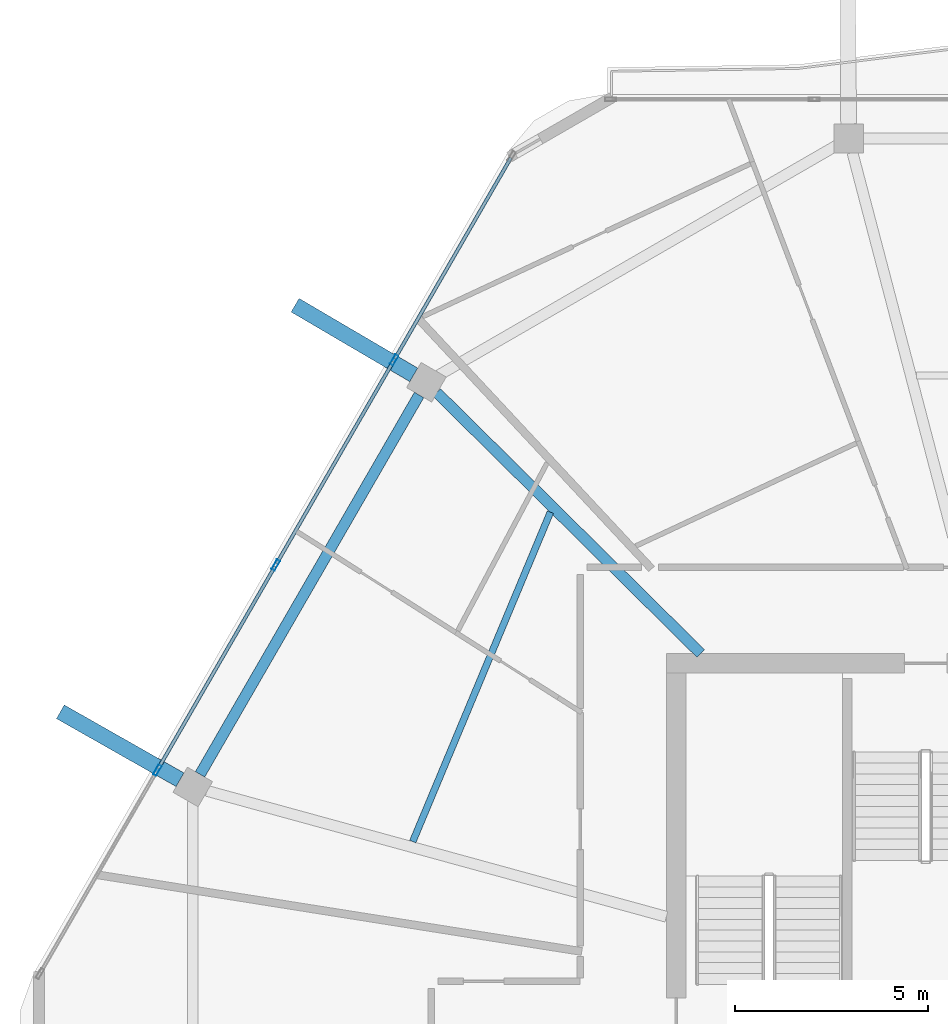
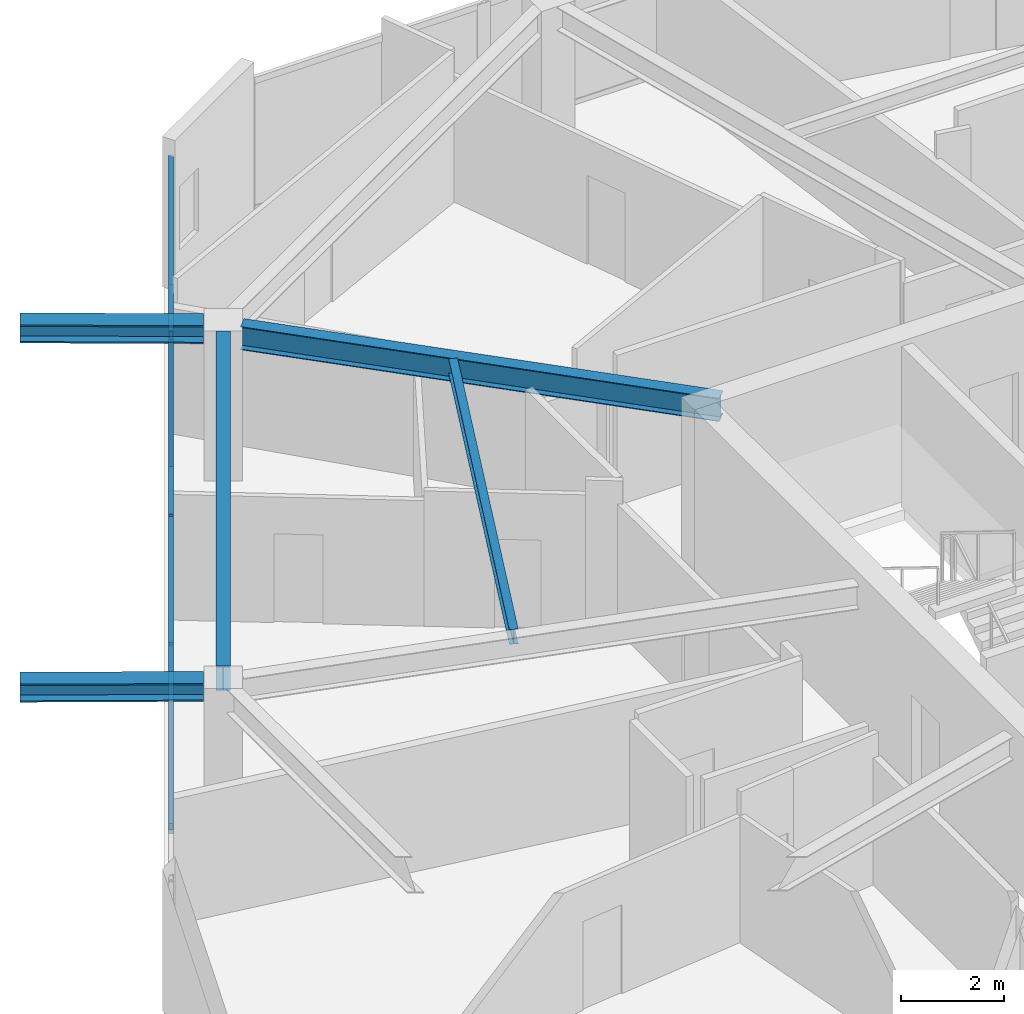
# One storey, part 8 of 21: 9 members, 5 beams, 1 element without a shape of its own.
"""IFC4 building model written with IfcOpenShell, lengths in metres."""

import ifcopenshell
import ifcopenshell.guid

model = None  # the IFC model being written
_history = None  # IfcOwnerHistory: only IFC2X3 demands one
_inside = {}  # id of a spatial element -> (the spatial element, [elements in it])
_under = {}  # id of a project, library or spatial element -> (it, [spatial elements below it])
_declared = {}  # id of a project -> (the project, [libraries it declares])
_typed = {}  # id of a type object -> (the type object, [elements of that type])
_made_of = {}  # id of a material, layer set ... -> (it, [elements and type objects made of it])


def new_model(schema):
    """Start an empty IFC model of exactly this schema.

    Asked for "IFC4X3", IfcOpenShell would pick the latest addendum, in which some entities
    have other attributes; the version numbers below select the first issue.
    IFC2X3 requires an IfcOwnerHistory on every rooted entity: one is made here for all.
    """
    global model, _history
    if schema == "IFC4X3":
        model = ifcopenshell.file(schema_version=(4, 3, 0, 0))
    else:
        model = ifcopenshell.file(schema=schema)
    _inside.clear()
    _under.clear()
    _declared.clear()
    _typed.clear()
    _made_of.clear()
    _history = None
    if model.schema == "IFC2X3":
        org = make("IfcOrganization", Name="unknown")
        user = make(
            "IfcPersonAndOrganization",
            ThePerson=make("IfcPerson", FamilyName="unknown"),
            TheOrganization=org,
        )
        app = make(
            "IfcApplication",
            ApplicationDeveloper=org,
            Version="unknown",
            ApplicationFullName="unknown",
            ApplicationIdentifier="unknown",
        )
        _history = make(
            "IfcOwnerHistory",
            OwningUser=user,
            OwningApplication=app,
            ChangeAction="ADDED",
            CreationDate=0,
        )
    return model


def make(cls, **values):
    """One entity of the class cls with the attributes given. An attribute that is None is left unset."""
    return model.create_entity(
        cls, **{name: value for name, value in values.items() if value is not None}
    )


def rooted(cls, **values):
    """An entity with a GlobalId (a new one), such as an element, a storey or a relation."""
    return make(cls, GlobalId=ifcopenshell.guid.new(), OwnerHistory=_history, **values)


def si_unit(unit_type, name, prefix=None):
    """IfcSIUnit, for example si_unit("LENGTHUNIT", "METRE", prefix="MILLI")."""
    return make("IfcSIUnit", UnitType=unit_type, Prefix=prefix, Name=name)


def assignment(units):
    """IfcUnitAssignment: the units of a project."""
    return None if units is None else make("IfcUnitAssignment", Units=units)


def point(xyz):
    """IfcCartesianPoint."""
    return None if xyz is None else make("IfcCartesianPoint", Coordinates=xyz)


def direction(xyz):
    """IfcDirection."""
    return None if xyz is None else make("IfcDirection", DirectionRatios=xyz)


def frame(location, z_axis=None, x_axis=None):
    """IfcAxis2Placement3D, a coordinate frame: its origin and axes. An axis left out is left unset."""
    return make(
        "IfcAxis2Placement3D",
        Location=point(location),
        Axis=direction(z_axis),
        RefDirection=direction(x_axis),
    )


def frame_2d(location, x_axis=None):
    """IfcAxis2Placement2D, a coordinate frame in the plane: its origin and x axis."""
    return make(
        "IfcAxis2Placement2D", Location=point(location), RefDirection=direction(x_axis)
    )


def origin():
    """The frame at (0, 0, 0) with its axes left unset."""
    return frame((0.0, 0.0, 0.0))


def origin_2d():
    """The frame at (0, 0) in the plane with its x axis left unset."""
    return frame_2d((0.0, 0.0))


def place(relative_to, where):
    """IfcLocalPlacement: puts the frame where relative to a parent placement (None: the world)."""
    return make(
        "IfcLocalPlacement", PlacementRelTo=relative_to, RelativePlacement=where
    )


def context(
    kind, dimensions, precision=None, world=None, true_north=None, identifier=None
):
    """IfcGeometricRepresentationContext, for example the 3D "Model" context."""
    return make(
        "IfcGeometricRepresentationContext",
        ContextIdentifier=identifier,
        ContextType=kind,
        CoordinateSpaceDimension=dimensions,
        Precision=precision,
        WorldCoordinateSystem=world,
        TrueNorth=true_north,
    )


def subcontext(parent, identifier, kind, view, scale=None):
    """IfcGeometricRepresentationSubContext, for example "Body" below "Model"."""
    return make(
        "IfcGeometricRepresentationSubContext",
        ContextIdentifier=identifier,
        ContextType=kind,
        ParentContext=parent,
        TargetScale=scale,
        TargetView=view,
    )


def project(units=None, contexts=None):
    """IfcProject with its units and contexts."""
    return rooted(
        "IfcProject",
        Name="project",
        RepresentationContexts=contexts,
        UnitsInContext=assignment(units),
    )


def spatial(cls, under=None, at=None, **own):
    """A site, building, storey or space (cls), placed at a placement, below another one or the project."""
    s = rooted(cls, ObjectPlacement=at, **own)
    if under is not None:
        _under.setdefault(under.id(), (under, []))[1].append(s)
    return s


def profile(cls, at=None, kind="AREA", **sizes):
    """A parametric profile (cls). Its sizes go by their IFC names, for example OverallWidth=200.0."""
    return make(cls, ProfileType=kind, Position=at, **sizes)


def hollow_rectangle(**sizes):
    """IfcRectangleHollowProfileDef."""
    return profile("IfcRectangleHollowProfileDef", **sizes)


def i_section(**sizes):
    """IfcIShapeProfileDef."""
    return profile("IfcIShapeProfileDef", **sizes)


def extrude(swept, where, along, depth):
    """IfcExtrudedAreaSolid: the profile swept, set in the frame where, extruded along a direction by depth."""
    return make(
        "IfcExtrudedAreaSolid",
        SweptArea=swept,
        Position=where,
        ExtrudedDirection=direction(along),
        Depth=depth,
    )


def shape(context_of_items, identifier, shape_type, items):
    """IfcShapeRepresentation: the items that make up one representation, for example the "Body"."""
    return make(
        "IfcShapeRepresentation",
        ContextOfItems=context_of_items,
        RepresentationIdentifier=identifier,
        RepresentationType=shape_type,
        Items=items,
    )


def material(Name=None, Category=None):
    """IfcMaterial."""
    return make("IfcMaterial", Name=Name, Category=Category)


def material_profile(
    of_material, cross_section, Name=None, Category=None, Priority=None
):
    """IfcMaterialProfile: a cross section and its material."""
    return make(
        "IfcMaterialProfile",
        Name=Name,
        Material=of_material,
        Profile=cross_section,
        Priority=Priority,
        Category=Category,
    )


def profile_set(profiles, Name=None, composite=None):
    """IfcMaterialProfileSet."""
    return make(
        "IfcMaterialProfileSet",
        Name=Name,
        MaterialProfiles=profiles,
        CompositeProfile=composite,
    )


def made_of(thing, what):
    """Note that an element or type object is made of a material, layer set ...; save() writes the relation."""
    if what is not None:
        _made_of.setdefault(what.id(), (what, []))[1].append(thing)
    return thing


def type_object(cls, material=None, **own):
    """A type object (cls), such as IfcWallType, which elements share."""
    return made_of(rooted(cls, **own), material)


def element(
    cls,
    number,
    at=None,
    inside=None,
    cuts=None,
    type_object=None,
    material=None,
    context=None,
    identifier="Body",
    shape_type=None,
    held_by="IfcProductDefinitionShape",
    body=None,
    shapes=None,
    **own,
):
    """One element of the class cls, such as IfcWall. Its Tag is "e" and its number.

    at: its placement. inside: the storey or other place that contains it. cuts: it is an
    opening in that element (IfcRelVoidsElement). A single representation is given by context,
    identifier, shape_type and body (its items); several are given by shapes. held_by: the class
    of the entity that holds the representations. save() writes the other relations.
    """
    e = rooted(cls, Tag="e%d" % number, ObjectPlacement=at, **own)
    if body is not None:
        shapes = [shape(context, identifier, shape_type, body)]
    if shapes is not None:
        e.Representation = make(held_by, Representations=shapes)
    if inside is not None:
        _inside.setdefault(inside.id(), (inside, []))[1].append(e)
    if cuts is not None:
        rooted(
            "IfcRelVoidsElement", RelatingBuildingElement=cuts, RelatedOpeningElement=e
        )
    if type_object is not None:
        _typed.setdefault(type_object.id(), (type_object, []))[1].append(e)
    return made_of(e, material)


def aggregate(whole, parts):
    """IfcRelAggregates: a whole, such as a stair, and the parts it consists of."""
    return rooted("IfcRelAggregates", RelatingObject=whole, RelatedObjects=parts)


def save(model, path):
    """Write the relations noted so far, then the file.

    IfcRelAggregates (storeys below a building ...), IfcRelContainedInSpatialStructure (elements
    in a storey), IfcRelDefinesByType, IfcRelAssociatesMaterial and IfcRelDeclares: one each for
    every whole, place, type object, material and project.
    """
    for whole, parts in _under.values():
        aggregate(whole, parts)
    for where, things in _inside.values():
        rooted(
            "IfcRelContainedInSpatialStructure",
            RelatedElements=things,
            RelatingStructure=where,
        )
    for kind, things in _typed.values():
        rooted("IfcRelDefinesByType", RelatedObjects=things, RelatingType=kind)
    for what, things in _made_of.values():
        rooted("IfcRelAssociatesMaterial", RelatedObjects=things, RelatingMaterial=what)
    for by, libraries in _declared.values():
        rooted("IfcRelDeclares", RelatingContext=by, RelatedDefinitions=libraries)
    model.write(path)


model = new_model("IFC4")

# Units and contexts
model_context = context("Model", 3, precision=1e-05, world=origin(), true_north=direction((0.0, 1.0)))
body_context = subcontext(model_context, "Body", "Model", "MODEL_VIEW")
ifc_project = project(units=[si_unit("LENGTHUNIT", "METRE"), si_unit("AREAUNIT", "SQUARE_METRE"), si_unit("VOLUMEUNIT", "CUBIC_METRE"), si_unit("PLANEANGLEUNIT", "RADIAN"), si_unit("MASSUNIT", "GRAM", prefix="KILO")], contexts=[model_context])

# Site, building, storey
site_placement = place(None, origin())
site = spatial("IfcSite", under=ifc_project, at=site_placement, CompositionType="ELEMENT")
building_placement = place(site_placement, origin())
building = spatial("IfcBuilding", under=site, at=building_placement, Name="Zuhravey Tower", CompositionType="ELEMENT")
storey_placement = place(building_placement, frame((0.0, 0.0, 334.800048828125)))
storey = spatial("IfcBuildingStorey", under=building, at=storey_placement, Name="L85", CompositionType="ELEMENT", Elevation=334.800048828125)

# Curtain wall, members
ifc_material_1 = material(Name="Thermally broken anodised aluminium", Category="aluminium")
curtain_wall_type = type_object("IfcCurtainWallType", Name="Zone 3-4 High-Rise Curtain Wall CW4", PredefinedType="NOTDEFINED", material=ifc_material_1)
curtain_wall_placement = place(storey_placement, origin())
curtain_wall = element("IfcCurtainWall", 1, at=curtain_wall_placement, inside=storey, type_object=curtain_wall_type, Name="L85 CW4 CW-L85-F3-1", PredefinedType="NOTDEFINED")
ifc_material_2 = material(Name="Anodised aluminium", Category="aluminium")
ifc_material_profile_1 = material_profile(ifc_material_2, hollow_rectangle(XDim=0.090087890625, YDim=0.284912109375, WallThickness=0.0048828125, at=origin_2d()), Name="ALU-RHS-90x285x5")
ifc_profile_set_1 = profile_set([ifc_material_profile_1], Name="Anodised aluminium")
member_type_1 = type_object("IfcMemberType", Name="Curtain-Wall Mullion 90x180", PredefinedType="MULLION", material=ifc_profile_set_1)
member_1_placement = place(storey_placement, frame((12.09130859375, 38.7373046875, 0.0), z_axis=(0.0, 0.0, 1.0), x_axis=(-0.866025511541, 0.49999981336, 0.0)))
member_1 = element("IfcMember", 2, at=member_1_placement, type_object=member_type_1, Name="CW4 mullion 2", PredefinedType="MULLION", context=body_context, shape_type="SweptSolid", body=[
    extrude(hollow_rectangle(XDim=0.090087890625, YDim=0.284912109375, WallThickness=0.0048828125, at=origin_2d()), origin(), (0.0, 0.0, 1.0), 3.1220703125),
])
member_2_placement = place(storey_placement, frame((15.1513671875, 44.037109375, 0.0), z_axis=(0.0, 0.0, 1.0), x_axis=(-0.866025511541, 0.49999981336, 0.0)))
member_2 = element("IfcMember", 3, at=member_2_placement, type_object=member_type_1, Name="CW4 mullion 3", PredefinedType="MULLION", context=body_context, shape_type="SweptSolid", body=[
    extrude(hollow_rectangle(XDim=0.090087890625, YDim=0.284912109375, WallThickness=0.0048828125, at=origin_2d()), origin(), (0.0, 0.0, 1.0), 3.1220703125),
])
member_3_placement = place(storey_placement, frame((18.211181640625, 49.3369140625, 0.0), z_axis=(0.0, 0.0, 1.0), x_axis=(-0.866025511541, 0.49999981336, 0.0)))
member_3 = element("IfcMember", 4, at=member_3_placement, type_object=member_type_1, Name="CW4 mullion 4", PredefinedType="MULLION", context=body_context, shape_type="SweptSolid", body=[
    extrude(hollow_rectangle(XDim=0.090087890625, YDim=0.284912109375, WallThickness=0.0048828125, at=origin_2d()), origin(), (0.0, 0.0, 1.0), 3.1220703125),
])
ifc_material_profile_2 = material_profile(ifc_material_2, hollow_rectangle(XDim=0.090087890625, YDim=0.14990234375, WallThickness=0.0048828125, at=origin_2d()), Name="ALU-RHS-90x150x5")
ifc_profile_set_2 = profile_set([ifc_material_profile_2], Name="Anodised aluminium")
member_type_2 = type_object("IfcMemberType", Name="Curtain-Wall Transom 90x150", PredefinedType="USERDEFINED", material=ifc_profile_set_2)
member_4_placement = place(storey_placement, frame((12.114013671875, 38.7763671875, 0.044921875), z_axis=(0.499988837749, 0.866031848217, 0.0), x_axis=(-0.866031848217, 0.499988837749, 0.0)))
member_4 = element("IfcMember", 5, at=member_4_placement, type_object=member_type_2, Name="CW4 transom 2.1", ObjectType="TRANSOM", PredefinedType="USERDEFINED", context=body_context, shape_type="SweptSolid", body=[
    extrude(hollow_rectangle(XDim=0.090087890625, YDim=0.14990234375, WallThickness=0.0048828125, at=origin_2d()), origin(), (0.0, 0.0, 1.0), 6.029541015625),
])
member_5_placement = place(storey_placement, frame((12.114013671875, 38.7763671875, 3.076904296875), z_axis=(0.499988837749, 0.866031848217, 0.0), x_axis=(-0.866031848217, 0.499988837749, 0.0)))
member_5 = element("IfcMember", 6, at=member_5_placement, type_object=member_type_2, Name="CW4 transom 2.2", ObjectType="TRANSOM", PredefinedType="USERDEFINED", context=body_context, shape_type="SweptSolid", body=[
    extrude(hollow_rectangle(XDim=0.090087890625, YDim=0.14990234375, WallThickness=0.0048828125, at=origin_2d()), origin(), (0.0, 0.0, 1.0), 6.029541015625),
])
member_6_placement = place(storey_placement, frame((15.173828125, 44.075927734375, 0.044921875), z_axis=(0.499971305196, 0.866041970103, 0.0), x_axis=(-0.866041970103, 0.499971305196, 0.0)))
member_6 = element("IfcMember", 7, at=member_6_placement, type_object=member_type_2, Name="CW4 transom 3.1", ObjectType="TRANSOM", PredefinedType="USERDEFINED", context=body_context, shape_type="SweptSolid", body=[
    extrude(hollow_rectangle(XDim=0.090087890625, YDim=0.14990234375, WallThickness=0.0048828125, at=origin_2d()), origin(), (0.0, 0.0, 1.0), 6.029541015625),
])
member_7_placement = place(storey_placement, frame((15.173828125, 44.075927734375, 3.076904296875), z_axis=(0.499971305196, 0.866041970103, 0.0), x_axis=(-0.866041970103, 0.499971305196, 0.0)))
member_7 = element("IfcMember", 8, at=member_7_placement, type_object=member_type_2, Name="CW4 transom 3.2", ObjectType="TRANSOM", PredefinedType="USERDEFINED", context=body_context, shape_type="SweptSolid", body=[
    extrude(hollow_rectangle(XDim=0.090087890625, YDim=0.14990234375, WallThickness=0.0048828125, at=origin_2d()), origin(), (0.0, 0.0, 1.0), 6.029541015625),
])
member_8_placement = place(storey_placement, frame((18.233642578125, 49.375732421875, 0.044921875), z_axis=(0.499982594807, 0.866035452444, 0.0), x_axis=(-0.866035452444, 0.499982594807, 0.0)))
member_8 = element("IfcMember", 9, at=member_8_placement, type_object=member_type_2, Name="CW4 transom 4.1", ObjectType="TRANSOM", PredefinedType="USERDEFINED", context=body_context, shape_type="SweptSolid", body=[
    extrude(hollow_rectangle(XDim=0.090087890625, YDim=0.14990234375, WallThickness=0.0048828125, at=origin_2d()), origin(), (0.0, 0.0, 1.0), 5.984619140625),
])
member_9_placement = place(storey_placement, frame((18.233642578125, 49.375732421875, 3.076904296875), z_axis=(0.499982594807, 0.866035452444, 0.0), x_axis=(-0.866035452444, 0.499982594807, 0.0)))
member_9 = element("IfcMember", 10, at=member_9_placement, type_object=member_type_2, Name="CW4 transom 4.2", ObjectType="TRANSOM", PredefinedType="USERDEFINED", context=body_context, shape_type="SweptSolid", body=[
    extrude(hollow_rectangle(XDim=0.090087890625, YDim=0.14990234375, WallThickness=0.0048828125, at=origin_2d()), origin(), (0.0, 0.0, 1.0), 5.984619140625),
])
aggregate(curtain_wall, [member_1, member_2, member_3, member_4, member_5, member_6, member_7, member_8, member_9])

# Beams
ifc_material_3 = material(Name="Steel SM460", Category="steel")
ifc_material_profile_3 = material_profile(ifc_material_3, i_section(OverallWidth=0.406982421875, OverallDepth=0.427978515625, WebThickness=0.02001953125, FlangeThickness=0.034912109375, at=origin_2d()), Name="H-428x407x20x35")
ifc_profile_set_3 = profile_set([ifc_material_profile_3], Name="Steel SM460")
beam_type_1 = type_object("IfcBeamType", Name="Exoskeleton Node Tie Beam H428x407", PredefinedType="BEAM", material=ifc_profile_set_3)
for number, where, z_axis, x_axis, name in (
    (11, (18.718505859375, 48.95361328125, 3.3359375), (-0.862378642506, 0.506263841242, 0.0), (-0.506263841242, -0.862378642506, 0.0), "L85 Exoskeleton Node Tie NT1-05"),
    (12, (12.677001953125, 38.489501953125, 3.3359375), (-0.869638118988, 0.4936897224, 0.0), (-0.4936897224, -0.869638118988, 0.0), "L85 Exoskeleton Node Tie NT1-06"),
):
    element("IfcBeam", number, at=place(storey_placement, frame(where, z_axis=z_axis, x_axis=x_axis)), inside=storey, type_object=beam_type_1, Name=name, PredefinedType="BEAM", context=body_context, shape_type="SweptSolid", body=[
        extrude(i_section(OverallWidth=0.406982421875, OverallDepth=0.427978515625, WebThickness=0.02001953125, FlangeThickness=0.034912109375, at=origin_2d()), origin(), (0.0, 0.0, 1.0), 3.55615234375),
    ])
ifc_material_4 = material(Name="Steel SM355", Category="steel")
ifc_material_profile_4 = material_profile(ifc_material_4, i_section(OverallWidth=0.280029296875, OverallDepth=0.580078125, WebThickness=0.011962890625, FlangeThickness=0.01904296875, at=origin_2d()), Name="H-580x280x12x19")
ifc_profile_set_4 = profile_set([ifc_material_profile_4], Name="Steel SM355")
beam_type_2 = type_object("IfcBeamType", Name="Perimeter Ring Beam H580x280", PredefinedType="BEAM", material=ifc_profile_set_4)
beam_1_placement = place(storey_placement, frame((18.856201171875, 48.434326171875, 3.260009765625), z_axis=(-0.499993743963, -0.866029015679, 0.0), x_axis=(0.866029015679, -0.499993743963, 0.0)))
element("IfcBeam", 13, at=beam_1_placement, inside=storey, type_object=beam_type_2, Name="L85 PB4 BM-L85-PB-05", PredefinedType="BEAM", context=body_context, shape_type="SweptSolid", body=[
    extrude(i_section(OverallWidth=0.280029296875, OverallDepth=0.580078125, WebThickness=0.011962890625, FlangeThickness=0.01904296875, at=origin_2d()), origin(), (0.0, 0.0, 1.0), 11.321533203125),
])
ifc_material_profile_5 = material_profile(ifc_material_4, i_section(OverallWidth=0.280029296875, OverallDepth=0.550048828125, WebThickness=0.010986328125, FlangeThickness=0.01806640625, at=origin_2d()), Name="H-550x280x11x18")
ifc_profile_set_5 = profile_set([ifc_material_profile_5], Name="Steel SM355")
beam_type_3 = type_object("IfcBeamType", Name="Radial Primary Girder H550x280", PredefinedType="BEAM", material=ifc_profile_set_5)
beam_2_placement = place(storey_placement, frame((26.134765625, 41.7529296875, 3.27490234375), z_axis=(-0.711142578304, 0.703047817238, 0.0), x_axis=(-0.703047817238, -0.711142578304, 0.0)))
element("IfcBeam", 14, at=beam_2_placement, inside=storey, type_object=beam_type_3, Name="L85 RG4 BM-L85-RAD-05", PredefinedType="BEAM", context=body_context, shape_type="SweptSolid", body=[
    extrude(i_section(OverallWidth=0.280029296875, OverallDepth=0.550048828125, WebThickness=0.010986328125, FlangeThickness=0.01806640625, at=origin_2d()), origin(), (0.0, 0.0, 1.0), 9.591064453125),
])
ifc_material_profile_6 = material_profile(ifc_material_4, i_section(OverallWidth=0.175048828125, OverallDepth=0.35009765625, WebThickness=0.007080078125, FlangeThickness=0.010986328125, at=origin_2d()), Name="H-350x175x7x11")
ifc_profile_set_6 = profile_set([ifc_material_profile_6], Name="Steel SM355")
beam_type_4 = type_object("IfcBeamType", Name="Secondary Floor Joist H350x175", PredefinedType="JOIST", material=ifc_profile_set_6)
beam_3_placement = place(storey_placement, frame((22.2509765625, 45.40478515625, 3.375), z_axis=(-0.385657891576, -0.922641853953, 0.0), x_axis=(0.922641853953, -0.385657891576, 0.0)))
element("IfcBeam", 15, at=beam_3_placement, inside=storey, type_object=beam_type_4, Name="L85 SJ3 BM-L85-SJ-05-1", PredefinedType="JOIST", context=body_context, shape_type="SweptSolid", body=[
    extrude(i_section(OverallWidth=0.175048828125, OverallDepth=0.35009765625, WebThickness=0.007080078125, FlangeThickness=0.010986328125, at=origin_2d()), origin(), (0.0, 0.0, 1.0), 9.226806640625),
])

save(model, "model.ifc")
